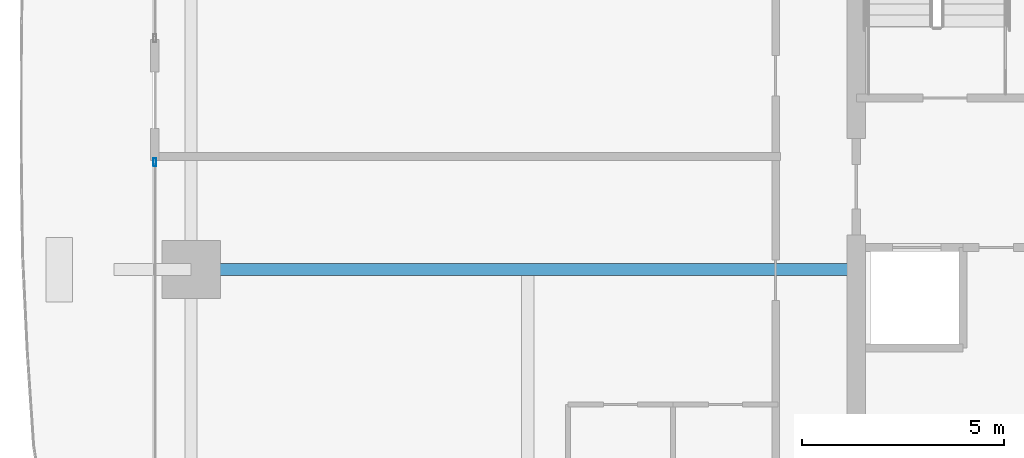
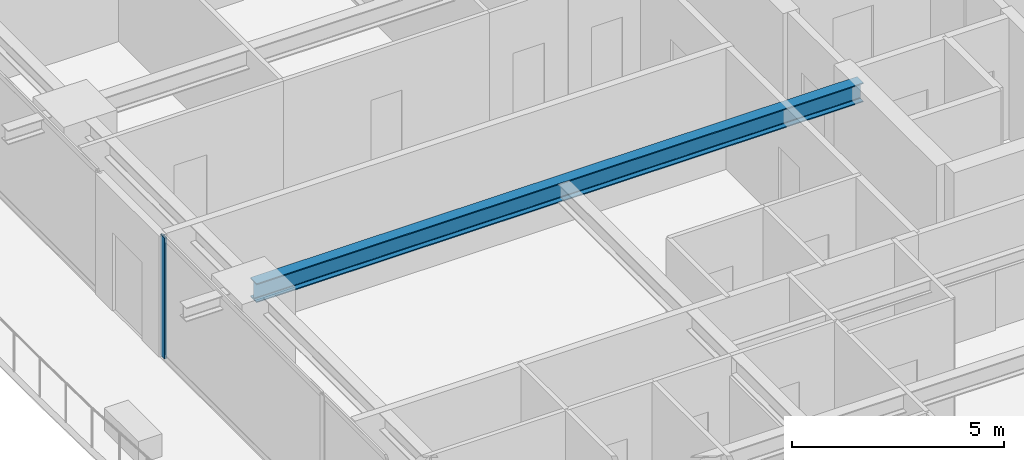
# One storey, part 8 of 41: 1 beam, 1 member, 1 element without a shape of its own.
"""IFC4 building model written with IfcOpenShell, lengths in metres."""

from ifc_helpers import new_model, si_unit, direction, frame, origin, origin_2d, place, context, subcontext, project, spatial, hollow_rectangle, i_section, extrude, source, transform, mapped, material, layer, layer_set, material_profile, profile_set, type_object, element, aggregate, save


model = new_model("IFC4")

# Units and contexts
model_context = context("Model", 3, precision=1e-05, world=origin(), true_north=direction((0.0, 1.0)))
body_context = subcontext(model_context, "Body", "Model", "MODEL_VIEW")
ifc_project = project(units=[si_unit("LENGTHUNIT", "METRE"), si_unit("AREAUNIT", "SQUARE_METRE"), si_unit("VOLUMEUNIT", "CUBIC_METRE"), si_unit("PLANEANGLEUNIT", "RADIAN"), si_unit("MASSUNIT", "GRAM", prefix="KILO")], contexts=[model_context])

# Site, building, storey
site_placement = place(None, origin())
site = spatial("IfcSite", under=ifc_project, at=site_placement, CompositionType="ELEMENT")
building_placement = place(site_placement, origin())
building = spatial("IfcBuilding", under=site, at=building_placement, Name="Serunith Strait Residences", CompositionType="ELEMENT")
storey_placement = place(building_placement, frame((0.0, 0.0, 45.449951171875)))
storey = spatial("IfcBuildingStorey", under=building, at=storey_placement, Name="L10", CompositionType="ELEMENT", Elevation=45.449951171875)

# Beam
ifc_material_1 = material(Name="Steel S355J2", Category="steel")
ifc_material_profile_1 = material_profile(ifc_material_1, i_section(OverallWidth=0.300048828125, OverallDepth=0.550048828125, WebThickness=0.014892578125, FlangeThickness=0.029052734375, FilletRadius=0.027099609375, at=origin_2d()), Name="HEB 550")
ifc_profile_set_1 = profile_set([ifc_material_profile_1], Name="Steel S355J2")
beam_type = type_object("IfcBeamType", Name="BM-HEB550", PredefinedType="BEAM", material=ifc_profile_set_1)
shared_shape_1 = source(origin(), body_context, "Body", "SweptSolid", [
    extrude(i_section(OverallWidth=0.300048828125, OverallDepth=0.550048828125, WebThickness=0.014892578125, FlangeThickness=0.029052734375, FilletRadius=0.027099609375, at=origin_2d()), origin(), (0.0, 0.0, 1.0), 16.5),
])
beam_placement = place(storey_placement, frame((23.39990234375, 21.0, 3.212158203125), z_axis=(-1.0, 0.0, 0.0), x_axis=(0.0, -1.0, 0.0)))
element("IfcBeam", 1, at=beam_placement, inside=storey, type_object=beam_type, Name="L10 Primary Floor Girder TC-W2", PredefinedType="BEAM", context=body_context, shape_type="MappedRepresentation", body=[
    mapped(shared_shape_1, transform((0.0, 0.0, 0.0), scale=1.0)),
])

# Curtain wall, member
ifc_material_2 = material(Name="Pale-Champagne Anodised Aluminium", Category="aluminium")
ifc_layer = layer(ifc_material_2, 0.199951171875, Name="Pale-Champagne Anodised Aluminium")
ifc_layer_set = layer_set([ifc_layer], Name="Pale-Champagne Anodised Aluminium")
curtain_wall_type = type_object("IfcCurtainWallType", Name="CW-SYS1", PredefinedType="NOTDEFINED", material=ifc_layer_set)
curtain_wall_placement = place(storey_placement, origin())
curtain_wall = element("IfcCurtainWall", 2, at=curtain_wall_placement, inside=storey, type_object=curtain_wall_type, Name="L10 W Unitised Fritted Curtain Wall", PredefinedType="NOTDEFINED")
ifc_material_profile_2 = material_profile(ifc_material_2, hollow_rectangle(XDim=0.070068359375, YDim=0.199951171875, WallThickness=0.00390625, InnerFilletRadius=0.006103515625, OuterFilletRadius=0.010009765625, at=origin_2d()), Name="ALU 200x70x4")
ifc_profile_set_2 = profile_set([ifc_material_profile_2], Name="Pale-Champagne Anodised Aluminium")
member_type = type_object("IfcMemberType", Name="CW-SYS1-MULL", PredefinedType="MULLION", material=ifc_profile_set_2)
shared_shape_2 = source(origin(), body_context, "Body", "SweptSolid", [
    extrude(hollow_rectangle(XDim=0.070068359375, YDim=0.199951171875, WallThickness=0.00390625, InnerFilletRadius=0.006103515625, OuterFilletRadius=0.010009765625, at=origin_2d()), origin(), (0.0, 0.0, 1.0), 3.47509765625),
])
member_placement = place(storey_placement, frame((6.0, 23.6650390625, 0.0), z_axis=(0.0, 0.0, 1.0), x_axis=(1.0, 0.0, 0.0)))
member = element("IfcMember", 3, at=member_placement, type_object=member_type, Name="CW-1 mullion 1", PredefinedType="MULLION", context=body_context, shape_type="MappedRepresentation", body=[
    mapped(shared_shape_2, transform((0.0, 0.0, 0.0), scale=1.0)),
])
aggregate(curtain_wall, [member])

save(model, "model.ifc")
